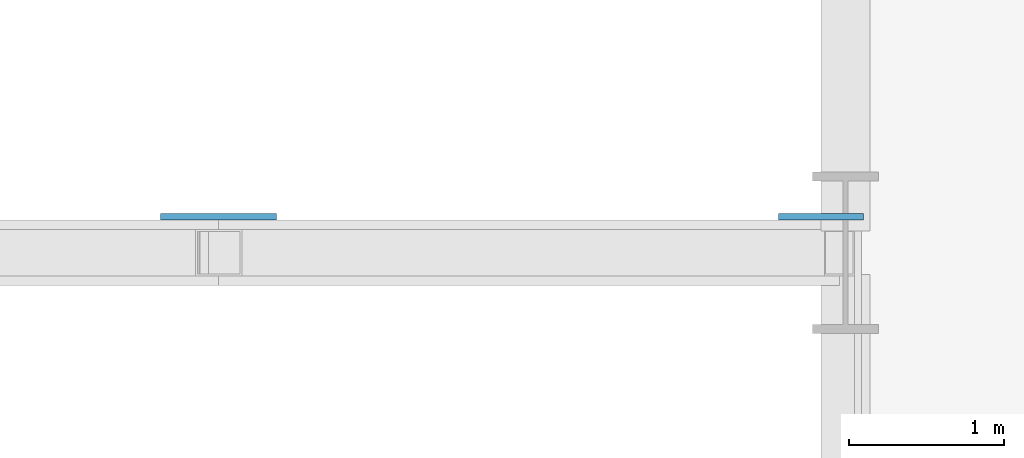
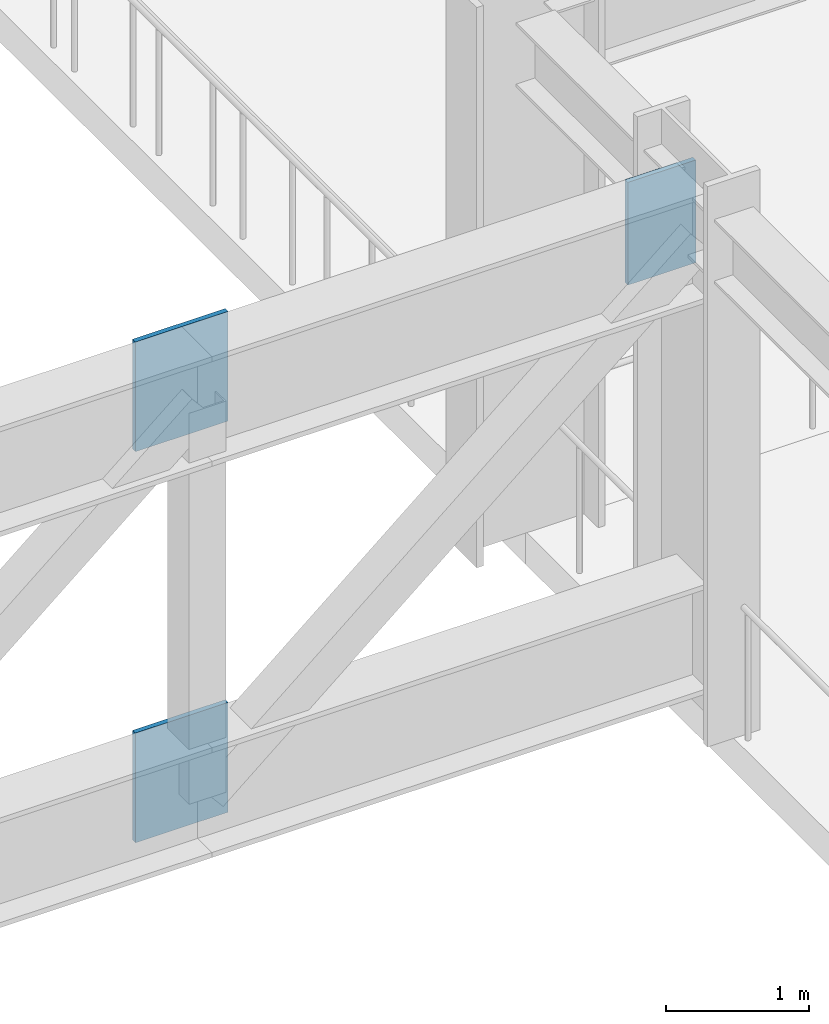
# One storey, part 58 of 91: 3 plates.
"""IFC4 building model written with IfcOpenShell, lengths in metres."""

import ifcopenshell
import ifcopenshell.guid

model = None  # the IFC model being written
_history = None  # IfcOwnerHistory: only IFC2X3 demands one
_inside = {}  # id of a spatial element -> (the spatial element, [elements in it])
_under = {}  # id of a project, library or spatial element -> (it, [spatial elements below it])
_declared = {}  # id of a project -> (the project, [libraries it declares])
_typed = {}  # id of a type object -> (the type object, [elements of that type])
_made_of = {}  # id of a material, layer set ... -> (it, [elements and type objects made of it])


def new_model(schema):
    """Start an empty IFC model of exactly this schema.

    Asked for "IFC4X3", IfcOpenShell would pick the latest addendum, in which some entities
    have other attributes; the version numbers below select the first issue.
    IFC2X3 requires an IfcOwnerHistory on every rooted entity: one is made here for all.
    """
    global model, _history
    if schema == "IFC4X3":
        model = ifcopenshell.file(schema_version=(4, 3, 0, 0))
    else:
        model = ifcopenshell.file(schema=schema)
    _inside.clear()
    _under.clear()
    _declared.clear()
    _typed.clear()
    _made_of.clear()
    _history = None
    if model.schema == "IFC2X3":
        org = make("IfcOrganization", Name="unknown")
        user = make(
            "IfcPersonAndOrganization",
            ThePerson=make("IfcPerson", FamilyName="unknown"),
            TheOrganization=org,
        )
        app = make(
            "IfcApplication",
            ApplicationDeveloper=org,
            Version="unknown",
            ApplicationFullName="unknown",
            ApplicationIdentifier="unknown",
        )
        _history = make(
            "IfcOwnerHistory",
            OwningUser=user,
            OwningApplication=app,
            ChangeAction="ADDED",
            CreationDate=0,
        )
    return model


def make(cls, **values):
    """One entity of the class cls with the attributes given. An attribute that is None is left unset."""
    return model.create_entity(
        cls, **{name: value for name, value in values.items() if value is not None}
    )


def rooted(cls, **values):
    """An entity with a GlobalId (a new one), such as an element, a storey or a relation."""
    return make(cls, GlobalId=ifcopenshell.guid.new(), OwnerHistory=_history, **values)


def si_unit(unit_type, name, prefix=None):
    """IfcSIUnit, for example si_unit("LENGTHUNIT", "METRE", prefix="MILLI")."""
    return make("IfcSIUnit", UnitType=unit_type, Prefix=prefix, Name=name)


def assignment(units):
    """IfcUnitAssignment: the units of a project."""
    return None if units is None else make("IfcUnitAssignment", Units=units)


def point(xyz):
    """IfcCartesianPoint."""
    return None if xyz is None else make("IfcCartesianPoint", Coordinates=xyz)


def direction(xyz):
    """IfcDirection."""
    return None if xyz is None else make("IfcDirection", DirectionRatios=xyz)


def frame(location, z_axis=None, x_axis=None):
    """IfcAxis2Placement3D, a coordinate frame: its origin and axes. An axis left out is left unset."""
    return make(
        "IfcAxis2Placement3D",
        Location=point(location),
        Axis=direction(z_axis),
        RefDirection=direction(x_axis),
    )


def frame_2d(location, x_axis=None):
    """IfcAxis2Placement2D, a coordinate frame in the plane: its origin and x axis."""
    return make(
        "IfcAxis2Placement2D", Location=point(location), RefDirection=direction(x_axis)
    )


def origin():
    """The frame at (0, 0, 0) with its axes left unset."""
    return frame((0.0, 0.0, 0.0))


def origin_2d():
    """The frame at (0, 0) in the plane with its x axis left unset."""
    return frame_2d((0.0, 0.0))


def place(relative_to, where):
    """IfcLocalPlacement: puts the frame where relative to a parent placement (None: the world)."""
    return make(
        "IfcLocalPlacement", PlacementRelTo=relative_to, RelativePlacement=where
    )


def context(
    kind, dimensions, precision=None, world=None, true_north=None, identifier=None
):
    """IfcGeometricRepresentationContext, for example the 3D "Model" context."""
    return make(
        "IfcGeometricRepresentationContext",
        ContextIdentifier=identifier,
        ContextType=kind,
        CoordinateSpaceDimension=dimensions,
        Precision=precision,
        WorldCoordinateSystem=world,
        TrueNorth=true_north,
    )


def subcontext(parent, identifier, kind, view, scale=None):
    """IfcGeometricRepresentationSubContext, for example "Body" below "Model"."""
    return make(
        "IfcGeometricRepresentationSubContext",
        ContextIdentifier=identifier,
        ContextType=kind,
        ParentContext=parent,
        TargetScale=scale,
        TargetView=view,
    )


def project(units=None, contexts=None):
    """IfcProject with its units and contexts."""
    return rooted(
        "IfcProject",
        Name="project",
        RepresentationContexts=contexts,
        UnitsInContext=assignment(units),
    )


def spatial(cls, under=None, at=None, **own):
    """A site, building, storey or space (cls), placed at a placement, below another one or the project."""
    s = rooted(cls, ObjectPlacement=at, **own)
    if under is not None:
        _under.setdefault(under.id(), (under, []))[1].append(s)
    return s


def profile(cls, at=None, kind="AREA", **sizes):
    """A parametric profile (cls). Its sizes go by their IFC names, for example OverallWidth=200.0."""
    return make(cls, ProfileType=kind, Position=at, **sizes)


def rectangle(**sizes):
    """IfcRectangleProfileDef."""
    return profile("IfcRectangleProfileDef", **sizes)


def extrude(swept, where, along, depth):
    """IfcExtrudedAreaSolid: the profile swept, set in the frame where, extruded along a direction by depth."""
    return make(
        "IfcExtrudedAreaSolid",
        SweptArea=swept,
        Position=where,
        ExtrudedDirection=direction(along),
        Depth=depth,
    )


def shape(context_of_items, identifier, shape_type, items):
    """IfcShapeRepresentation: the items that make up one representation, for example the "Body"."""
    return make(
        "IfcShapeRepresentation",
        ContextOfItems=context_of_items,
        RepresentationIdentifier=identifier,
        RepresentationType=shape_type,
        Items=items,
    )


def material(Name=None, Category=None):
    """IfcMaterial."""
    return make("IfcMaterial", Name=Name, Category=Category)


def layer(
    of_material, thickness, ventilated=None, Name=None, Category=None, Priority=None
):
    """IfcMaterialLayer: one layer of a wall or slab, of a material (None: an air gap)."""
    return make(
        "IfcMaterialLayer",
        Material=of_material,
        LayerThickness=thickness,
        IsVentilated=ventilated,
        Name=Name,
        Category=Category,
        Priority=Priority,
    )


def layer_set(layers, Name=None):
    """IfcMaterialLayerSet."""
    return make("IfcMaterialLayerSet", MaterialLayers=layers, LayerSetName=Name)


def made_of(thing, what):
    """Note that an element or type object is made of a material, layer set ...; save() writes the relation."""
    if what is not None:
        _made_of.setdefault(what.id(), (what, []))[1].append(thing)
    return thing


def type_object(cls, material=None, **own):
    """A type object (cls), such as IfcWallType, which elements share."""
    return made_of(rooted(cls, **own), material)


def element(
    cls,
    number,
    at=None,
    inside=None,
    cuts=None,
    type_object=None,
    material=None,
    context=None,
    identifier="Body",
    shape_type=None,
    held_by="IfcProductDefinitionShape",
    body=None,
    shapes=None,
    **own,
):
    """One element of the class cls, such as IfcWall. Its Tag is "e" and its number.

    at: its placement. inside: the storey or other place that contains it. cuts: it is an
    opening in that element (IfcRelVoidsElement). A single representation is given by context,
    identifier, shape_type and body (its items); several are given by shapes. held_by: the class
    of the entity that holds the representations. save() writes the other relations.
    """
    e = rooted(cls, Tag="e%d" % number, ObjectPlacement=at, **own)
    if body is not None:
        shapes = [shape(context, identifier, shape_type, body)]
    if shapes is not None:
        e.Representation = make(held_by, Representations=shapes)
    if inside is not None:
        _inside.setdefault(inside.id(), (inside, []))[1].append(e)
    if cuts is not None:
        rooted(
            "IfcRelVoidsElement", RelatingBuildingElement=cuts, RelatedOpeningElement=e
        )
    if type_object is not None:
        _typed.setdefault(type_object.id(), (type_object, []))[1].append(e)
    return made_of(e, material)


def aggregate(whole, parts):
    """IfcRelAggregates: a whole, such as a stair, and the parts it consists of."""
    return rooted("IfcRelAggregates", RelatingObject=whole, RelatedObjects=parts)


def save(model, path):
    """Write the relations noted so far, then the file.

    IfcRelAggregates (storeys below a building ...), IfcRelContainedInSpatialStructure (elements
    in a storey), IfcRelDefinesByType, IfcRelAssociatesMaterial and IfcRelDeclares: one each for
    every whole, place, type object, material and project.
    """
    for whole, parts in _under.values():
        aggregate(whole, parts)
    for where, things in _inside.values():
        rooted(
            "IfcRelContainedInSpatialStructure",
            RelatedElements=things,
            RelatingStructure=where,
        )
    for kind, things in _typed.values():
        rooted("IfcRelDefinesByType", RelatedObjects=things, RelatingType=kind)
    for what, things in _made_of.values():
        rooted("IfcRelAssociatesMaterial", RelatedObjects=things, RelatingMaterial=what)
    for by, libraries in _declared.values():
        rooted("IfcRelDeclares", RelatingContext=by, RelatedDefinitions=libraries)
    model.write(path)


model = new_model("IFC4")

# Units and contexts
model_context = context("Model", 3, precision=1e-05, world=origin(), true_north=direction((0.0, 1.0)))
body_context = subcontext(model_context, "Body", "Model", "MODEL_VIEW")
ifc_project = project(units=[si_unit("LENGTHUNIT", "METRE"), si_unit("AREAUNIT", "SQUARE_METRE"), si_unit("VOLUMEUNIT", "CUBIC_METRE"), si_unit("PLANEANGLEUNIT", "RADIAN"), si_unit("MASSUNIT", "GRAM", prefix="KILO")], contexts=[model_context])

# Site, building, storey
site_placement = place(None, origin())
site = spatial("IfcSite", under=ifc_project, at=site_placement, CompositionType="ELEMENT")
building_placement = place(site_placement, origin())
building = spatial("IfcBuilding", under=site, at=building_placement, Name="Sollismere Congress Hotel", CompositionType="ELEMENT")
storey_placement = place(building_placement, frame((0.0, 0.0, 10.800048828125)))
storey = spatial("IfcBuildingStorey", under=building, at=storey_placement, Name="L02", CompositionType="ELEMENT", Elevation=10.800048828125)

# Plates
ifc_material = material(Name="Steel ASTM A572 Grade 50", Category="steel")
ifc_layer = layer(ifc_material, 0.0400390625, Name="Steel ASTM A572 Grade 50")
ifc_layer_set = layer_set([ifc_layer], Name="Steel ASTM A572 Grade 50")
plate_type = type_object("IfcPlateType", Name="PL-GS40", PredefinedType="USERDEFINED", material=ifc_layer_set)
for number, where, z_axis, x_axis, name in (
    (1, (46.35009765625, 64.632080078125, 3.56005859375), (0.0, 0.0, 1.0), (1.0, 0.0, 0.0), "PLT-GS-TT6-7"),
    (2, (46.35009765625, 64.632080078125, 0.2099609375), (0.0, 0.0, 1.0), (1.0, 0.0, 0.0), "PLT-GSB-TT6-7"),
):
    element("IfcPlate", number, at=place(storey_placement, frame(where, z_axis=z_axis, x_axis=x_axis)), inside=storey, type_object=plate_type, Name=name, ObjectType="GUSSET PLATE", PredefinedType="USERDEFINED", context=body_context, shape_type="SweptSolid", body=[
        extrude(rectangle(XDim=0.75, YDim=0.0400390625, at=origin_2d()), origin(), (0.0, 0.0, 1.0), 0.93994140625),
    ])
plate_placement = place(storey_placement, frame((50.239990234375, 64.632080078125, 3.590087890625), z_axis=(0.0, 0.0, 1.0), x_axis=(1.0, 0.0, 0.0)))
element("IfcPlate", 3, at=plate_placement, inside=storey, type_object=plate_type, Name="PLT-GSE-TT6-E", ObjectType="GUSSET PLATE", PredefinedType="USERDEFINED", context=body_context, shape_type="SweptSolid", body=[
    extrude(rectangle(XDim=0.550048828125, YDim=0.0400390625, at=origin_2d()), origin(), (0.0, 0.0, 1.0), 0.8798828125),
])

save(model, "model.ifc")
